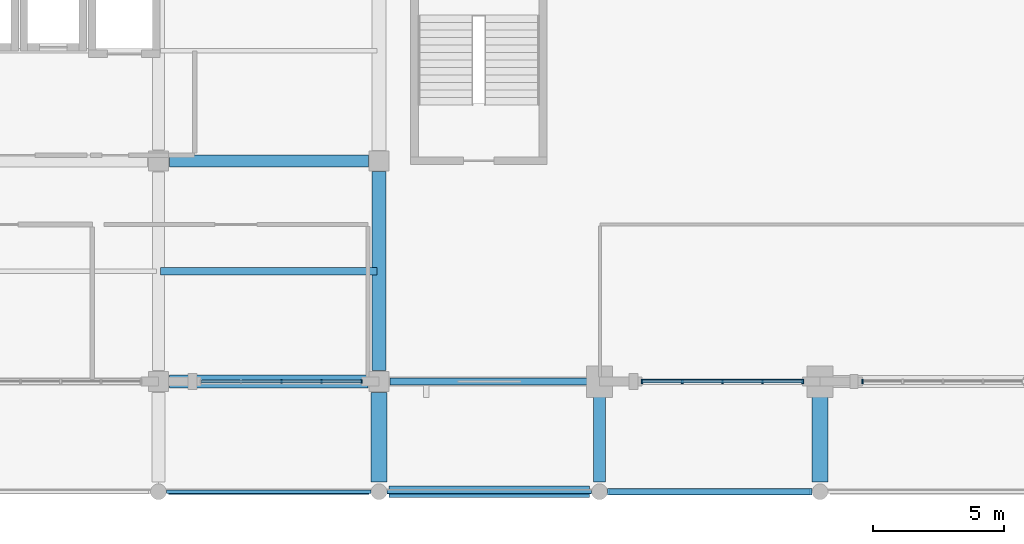
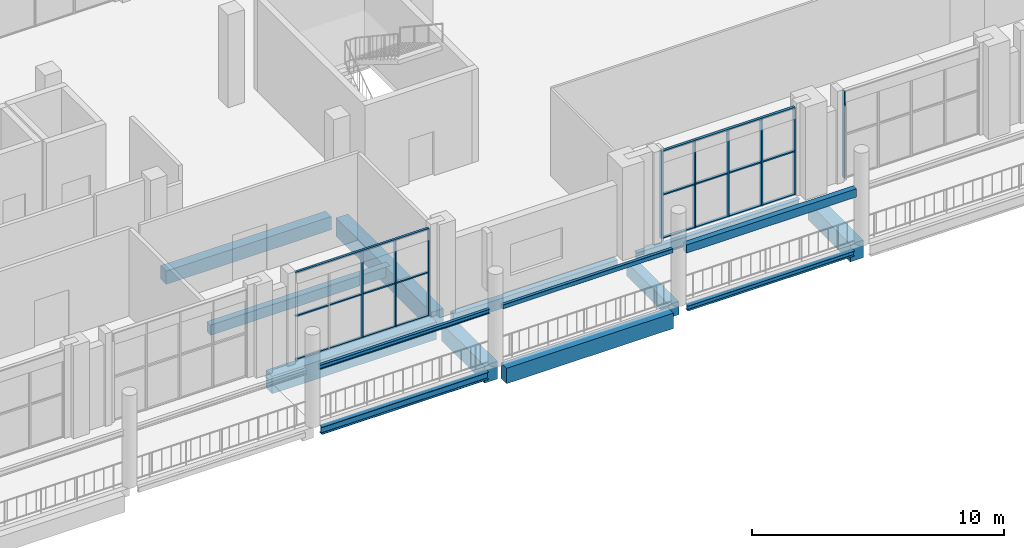
# One storey, part 25 of 75: 15 beams, 15 members, 3 elements without a shape of their own.
"""IFC4 building model written with IfcOpenShell, lengths in metres."""

import ifcopenshell
import ifcopenshell.guid

model = None  # the IFC model being written
_history = None  # IfcOwnerHistory: only IFC2X3 demands one
_inside = {}  # id of a spatial element -> (the spatial element, [elements in it])
_under = {}  # id of a project, library or spatial element -> (it, [spatial elements below it])
_declared = {}  # id of a project -> (the project, [libraries it declares])
_typed = {}  # id of a type object -> (the type object, [elements of that type])
_made_of = {}  # id of a material, layer set ... -> (it, [elements and type objects made of it])


def new_model(schema):
    """Start an empty IFC model of exactly this schema.

    Asked for "IFC4X3", IfcOpenShell would pick the latest addendum, in which some entities
    have other attributes; the version numbers below select the first issue.
    IFC2X3 requires an IfcOwnerHistory on every rooted entity: one is made here for all.
    """
    global model, _history
    if schema == "IFC4X3":
        model = ifcopenshell.file(schema_version=(4, 3, 0, 0))
    else:
        model = ifcopenshell.file(schema=schema)
    _inside.clear()
    _under.clear()
    _declared.clear()
    _typed.clear()
    _made_of.clear()
    _history = None
    if model.schema == "IFC2X3":
        org = make("IfcOrganization", Name="unknown")
        user = make(
            "IfcPersonAndOrganization",
            ThePerson=make("IfcPerson", FamilyName="unknown"),
            TheOrganization=org,
        )
        app = make(
            "IfcApplication",
            ApplicationDeveloper=org,
            Version="unknown",
            ApplicationFullName="unknown",
            ApplicationIdentifier="unknown",
        )
        _history = make(
            "IfcOwnerHistory",
            OwningUser=user,
            OwningApplication=app,
            ChangeAction="ADDED",
            CreationDate=0,
        )
    return model


def make(cls, **values):
    """One entity of the class cls with the attributes given. An attribute that is None is left unset."""
    return model.create_entity(
        cls, **{name: value for name, value in values.items() if value is not None}
    )


def rooted(cls, **values):
    """An entity with a GlobalId (a new one), such as an element, a storey or a relation."""
    return make(cls, GlobalId=ifcopenshell.guid.new(), OwnerHistory=_history, **values)


def si_unit(unit_type, name, prefix=None):
    """IfcSIUnit, for example si_unit("LENGTHUNIT", "METRE", prefix="MILLI")."""
    return make("IfcSIUnit", UnitType=unit_type, Prefix=prefix, Name=name)


def derived_unit(unit_type, elements):
    """IfcDerivedUnit: a product of units, each with its exponent."""
    return make(
        "IfcDerivedUnit",
        Elements=[
            make("IfcDerivedUnitElement", Unit=unit, Exponent=power)
            for unit, power in elements
        ],
        UnitType=unit_type,
    )


def assignment(units):
    """IfcUnitAssignment: the units of a project."""
    return None if units is None else make("IfcUnitAssignment", Units=units)


def point(xyz):
    """IfcCartesianPoint."""
    return None if xyz is None else make("IfcCartesianPoint", Coordinates=xyz)


def direction(xyz):
    """IfcDirection."""
    return None if xyz is None else make("IfcDirection", DirectionRatios=xyz)


def frame(location, z_axis=None, x_axis=None):
    """IfcAxis2Placement3D, a coordinate frame: its origin and axes. An axis left out is left unset."""
    return make(
        "IfcAxis2Placement3D",
        Location=point(location),
        Axis=direction(z_axis),
        RefDirection=direction(x_axis),
    )


def frame_2d(location, x_axis=None):
    """IfcAxis2Placement2D, a coordinate frame in the plane: its origin and x axis."""
    return make(
        "IfcAxis2Placement2D", Location=point(location), RefDirection=direction(x_axis)
    )


def origin():
    """The frame at (0, 0, 0) with its axes left unset."""
    return frame((0.0, 0.0, 0.0))


def origin_2d():
    """The frame at (0, 0) in the plane with its x axis left unset."""
    return frame_2d((0.0, 0.0))


def place(relative_to, where):
    """IfcLocalPlacement: puts the frame where relative to a parent placement (None: the world)."""
    return make(
        "IfcLocalPlacement", PlacementRelTo=relative_to, RelativePlacement=where
    )


def context(
    kind, dimensions, precision=None, world=None, true_north=None, identifier=None
):
    """IfcGeometricRepresentationContext, for example the 3D "Model" context."""
    return make(
        "IfcGeometricRepresentationContext",
        ContextIdentifier=identifier,
        ContextType=kind,
        CoordinateSpaceDimension=dimensions,
        Precision=precision,
        WorldCoordinateSystem=world,
        TrueNorth=true_north,
    )


def subcontext(parent, identifier, kind, view, scale=None):
    """IfcGeometricRepresentationSubContext, for example "Body" below "Model"."""
    return make(
        "IfcGeometricRepresentationSubContext",
        ContextIdentifier=identifier,
        ContextType=kind,
        ParentContext=parent,
        TargetScale=scale,
        TargetView=view,
    )


def project(units=None, contexts=None):
    """IfcProject with its units and contexts."""
    return rooted(
        "IfcProject",
        Name="project",
        RepresentationContexts=contexts,
        UnitsInContext=assignment(units),
    )


def spatial(cls, under=None, at=None, **own):
    """A site, building, storey or space (cls), placed at a placement, below another one or the project."""
    s = rooted(cls, ObjectPlacement=at, **own)
    if under is not None:
        _under.setdefault(under.id(), (under, []))[1].append(s)
    return s


def profile(cls, at=None, kind="AREA", **sizes):
    """A parametric profile (cls). Its sizes go by their IFC names, for example OverallWidth=200.0."""
    return make(cls, ProfileType=kind, Position=at, **sizes)


def rectangle(**sizes):
    """IfcRectangleProfileDef."""
    return profile("IfcRectangleProfileDef", **sizes)


def hollow_rectangle(**sizes):
    """IfcRectangleHollowProfileDef."""
    return profile("IfcRectangleHollowProfileDef", **sizes)


def i_section(**sizes):
    """IfcIShapeProfileDef."""
    return profile("IfcIShapeProfileDef", **sizes)


def extrude(swept, where, along, depth):
    """IfcExtrudedAreaSolid: the profile swept, set in the frame where, extruded along a direction by depth."""
    return make(
        "IfcExtrudedAreaSolid",
        SweptArea=swept,
        Position=where,
        ExtrudedDirection=direction(along),
        Depth=depth,
    )


def shape(context_of_items, identifier, shape_type, items):
    """IfcShapeRepresentation: the items that make up one representation, for example the "Body"."""
    return make(
        "IfcShapeRepresentation",
        ContextOfItems=context_of_items,
        RepresentationIdentifier=identifier,
        RepresentationType=shape_type,
        Items=items,
    )


def material(Name=None, Category=None):
    """IfcMaterial."""
    return make("IfcMaterial", Name=Name, Category=Category)


def material_profile(
    of_material, cross_section, Name=None, Category=None, Priority=None
):
    """IfcMaterialProfile: a cross section and its material."""
    return make(
        "IfcMaterialProfile",
        Name=Name,
        Material=of_material,
        Profile=cross_section,
        Priority=Priority,
        Category=Category,
    )


def profile_set(profiles, Name=None, composite=None):
    """IfcMaterialProfileSet."""
    return make(
        "IfcMaterialProfileSet",
        Name=Name,
        MaterialProfiles=profiles,
        CompositeProfile=composite,
    )


def made_of(thing, what):
    """Note that an element or type object is made of a material, layer set ...; save() writes the relation."""
    if what is not None:
        _made_of.setdefault(what.id(), (what, []))[1].append(thing)
    return thing


def type_object(cls, material=None, **own):
    """A type object (cls), such as IfcWallType, which elements share."""
    return made_of(rooted(cls, **own), material)


def element(
    cls,
    number,
    at=None,
    inside=None,
    cuts=None,
    type_object=None,
    material=None,
    context=None,
    identifier="Body",
    shape_type=None,
    held_by="IfcProductDefinitionShape",
    body=None,
    shapes=None,
    **own,
):
    """One element of the class cls, such as IfcWall. Its Tag is "e" and its number.

    at: its placement. inside: the storey or other place that contains it. cuts: it is an
    opening in that element (IfcRelVoidsElement). A single representation is given by context,
    identifier, shape_type and body (its items); several are given by shapes. held_by: the class
    of the entity that holds the representations. save() writes the other relations.
    """
    e = rooted(cls, Tag="e%d" % number, ObjectPlacement=at, **own)
    if body is not None:
        shapes = [shape(context, identifier, shape_type, body)]
    if shapes is not None:
        e.Representation = make(held_by, Representations=shapes)
    if inside is not None:
        _inside.setdefault(inside.id(), (inside, []))[1].append(e)
    if cuts is not None:
        rooted(
            "IfcRelVoidsElement", RelatingBuildingElement=cuts, RelatedOpeningElement=e
        )
    if type_object is not None:
        _typed.setdefault(type_object.id(), (type_object, []))[1].append(e)
    return made_of(e, material)


def aggregate(whole, parts):
    """IfcRelAggregates: a whole, such as a stair, and the parts it consists of."""
    return rooted("IfcRelAggregates", RelatingObject=whole, RelatedObjects=parts)


def save(model, path):
    """Write the relations noted so far, then the file.

    IfcRelAggregates (storeys below a building ...), IfcRelContainedInSpatialStructure (elements
    in a storey), IfcRelDefinesByType, IfcRelAssociatesMaterial and IfcRelDeclares: one each for
    every whole, place, type object, material and project.
    """
    for whole, parts in _under.values():
        aggregate(whole, parts)
    for where, things in _inside.values():
        rooted(
            "IfcRelContainedInSpatialStructure",
            RelatedElements=things,
            RelatingStructure=where,
        )
    for kind, things in _typed.values():
        rooted("IfcRelDefinesByType", RelatedObjects=things, RelatingType=kind)
    for what, things in _made_of.values():
        rooted("IfcRelAssociatesMaterial", RelatedObjects=things, RelatingMaterial=what)
    for by, libraries in _declared.values():
        rooted("IfcRelDeclares", RelatingContext=by, RelatedDefinitions=libraries)
    model.write(path)


model = new_model("IFC4")

# Units and contexts
model_context = context("Model", 3, precision=1e-05, world=origin(), true_north=direction((0.0, 1.0)))
body_context = subcontext(model_context, "Body", "Model", "MODEL_VIEW")
ifc_project = project(units=[si_unit("LENGTHUNIT", "METRE"), si_unit("AREAUNIT", "SQUARE_METRE"), si_unit("VOLUMEUNIT", "CUBIC_METRE"), si_unit("PLANEANGLEUNIT", "RADIAN"), si_unit("MASSUNIT", "GRAM", prefix="KILO"), derived_unit("THERMALTRANSMITTANCEUNIT", [(si_unit("POWERUNIT", "WATT"), 1), (si_unit("LENGTHUNIT", "METRE"), -2), (si_unit("THERMODYNAMICTEMPERATUREUNIT", "KELVIN"), -1)])], contexts=[model_context])

# Site, building, storey
site_placement = place(None, origin())
site = spatial("IfcSite", under=ifc_project, at=site_placement, CompositionType="ELEMENT")
building_placement = place(site_placement, origin())
building = spatial("IfcBuilding", under=site, at=building_placement, Name="Barrovel Congress Hotel", CompositionType="ELEMENT")
storey_placement = place(building_placement, frame((0.0, 0.0, 5.39990234375)))
storey = spatial("IfcBuildingStorey", under=building, at=storey_placement, Name="L01", CompositionType="ELEMENT", Elevation=5.39990234375)

# Beams
ifc_material_1 = material(Name="Concrete C40", Category="concrete")
ifc_material_profile_1 = material_profile(ifc_material_1, rectangle(XDim=0.25, YDim=0.39990234375, at=origin_2d()), Name="RC250x400")
ifc_profile_set_1 = profile_set([ifc_material_profile_1], Name="Concrete C40")
beam_type_1 = type_object("IfcBeamType", Name="BM-RC250x400", PredefinedType="LINTEL", material=ifc_profile_set_1)
beam_1_placement = place(storey_placement, frame((109.5, 0.0, 2.550048828125), z_axis=(1.0, 0.0, 0.0), x_axis=(0.0, 1.0, 0.0)))
element("IfcBeam", 1, at=beam_1_placement, inside=storey, type_object=beam_type_1, Name="LIN:L01:109.2-117.6", PredefinedType="LINTEL", context=body_context, shape_type="SweptSolid", body=[
    extrude(rectangle(XDim=0.25, YDim=0.39990234375, at=origin_2d()), origin(), (0.0, 0.0, 1.0), 7.800048828125),
])
ifc_material_profile_2 = material_profile(ifc_material_1, rectangle(XDim=0.25, YDim=0.5, at=origin_2d()), Name="RC250x500")
ifc_profile_set_2 = profile_set([ifc_material_profile_2], Name="Concrete C40")
beam_type_2 = type_object("IfcBeamType", Name="BM-RC250x500", PredefinedType="SPANDREL", material=ifc_profile_set_2)
beam_2_placement = place(storey_placement, frame((101.22509765625, 4.199951171875, -0.510009765625), z_axis=(1.0, 0.0, 0.0), x_axis=(0.0, 1.0, 0.0)))
element("IfcBeam", 2, at=beam_2_placement, inside=storey, type_object=beam_type_2, Name="BMX:L01:4.2:100.8-109.2", PredefinedType="SPANDREL", context=body_context, shape_type="SweptSolid", body=[
    extrude(rectangle(XDim=0.25, YDim=0.5, at=origin_2d()), origin(), (0.0, 0.0, 1.0), 7.52490234375),
])
ifc_material_profile_3 = material_profile(ifc_material_1, rectangle(XDim=0.300048828125, YDim=0.5, at=origin_2d()), Name="RC300x500")
ifc_profile_set_3 = profile_set([ifc_material_profile_3], Name="Concrete C40")
beam_type_3 = type_object("IfcBeamType", Name="BM-RC300x500", PredefinedType="JOIST", material=ifc_profile_set_3)
beam_3_placement = place(storey_placement, frame((92.47998046875, 8.39990234375, -0.510009765625), z_axis=(1.0, 0.0, 0.0), x_axis=(0.0, 1.0, 0.0)))
element("IfcBeam", 3, at=beam_3_placement, inside=storey, type_object=beam_type_3, Name="JST:L01:92.4:8.4", PredefinedType="JOIST", context=body_context, shape_type="SweptSolid", body=[
    extrude(rectangle(XDim=0.300048828125, YDim=0.5, at=origin_2d()), origin(), (0.0, 0.0, 1.0), 8.239990234375),
])
ifc_material_profile_4 = material_profile(ifc_material_1, rectangle(XDim=0.449951171875, YDim=0.64990234375, at=origin_2d()), Name="RC450x650")
ifc_profile_set_4 = profile_set([ifc_material_profile_4], Name="Concrete C40")
beam_type_4 = type_object("IfcBeamType", Name="BM-RC450x650", PredefinedType="BEAM", material=ifc_profile_set_4)
beam_4_placement = place(storey_placement, frame((92.824951171875, 12.60009765625, -0.5849609375), z_axis=(1.0, 0.0, 0.0), x_axis=(0.0, 1.0, 0.0)))
element("IfcBeam", 4, at=beam_4_placement, inside=storey, type_object=beam_type_4, Name="BMX:L01:12.6:92.4-100.8", PredefinedType="BEAM", context=body_context, shape_type="SweptSolid", body=[
    extrude(rectangle(XDim=0.449951171875, YDim=0.64990234375, at=origin_2d()), origin(), (0.0, 0.0, 1.0), 7.574951171875),
])
beam_5_placement = place(storey_placement, frame((109.199951171875, 0.375, -0.5849609375), z_axis=(0.0, 1.0, 0.0), x_axis=(-1.0, 0.0, 0.0)))
element("IfcBeam", 5, at=beam_5_placement, inside=storey, type_object=beam_type_4, Name="BMY:L01:109.2:0.0-4.2", PredefinedType="BEAM", context=body_context, shape_type="SweptSolid", body=[
    extrude(rectangle(XDim=0.449951171875, YDim=0.64990234375, at=origin_2d()), origin(), (0.0, 0.0, 1.0), 3.375),
])
ifc_material_profile_5 = material_profile(ifc_material_1, rectangle(XDim=0.449951171875, YDim=0.75, at=origin_2d()), Name="RC450x750")
ifc_profile_set_5 = profile_set([ifc_material_profile_5], Name="Concrete C40")
beam_type_5 = type_object("IfcBeamType", Name="BM-RC450x750", PredefinedType="BEAM", material=ifc_profile_set_5)
beam_6_placement = place(storey_placement, frame((101.175048828125, 0.0, -0.635009765625), z_axis=(1.0, 0.0, 0.0), x_axis=(0.0, 1.0, 0.0)))
element("IfcBeam", 6, at=beam_6_placement, inside=storey, type_object=beam_type_5, Name="BMX:L01:0.0:100.8-109.2", PredefinedType="BEAM", context=body_context, shape_type="SweptSolid", body=[
    extrude(rectangle(XDim=0.449951171875, YDim=0.75, at=origin_2d()), origin(), (0.0, 0.0, 1.0), 7.64990234375),
])
ifc_material_profile_6 = material_profile(ifc_material_1, rectangle(XDim=0.5, YDim=0.85009765625, at=origin_2d()), Name="RC500x850")
ifc_profile_set_6 = profile_set([ifc_material_profile_6], Name="Concrete C40")
beam_type_6 = type_object("IfcBeamType", Name="BM-RC500x850", PredefinedType="BEAM", material=ifc_profile_set_6)
beam_7_placement = place(storey_placement, frame((92.824951171875, 4.199951171875, -0.684814453125), z_axis=(1.0, 0.0, 0.0), x_axis=(0.0, 1.0, 0.0)))
element("IfcBeam", 7, at=beam_7_placement, inside=storey, type_object=beam_type_6, Name="BMX:L01:4.2:92.4-100.8", PredefinedType="BEAM", context=body_context, shape_type="SweptSolid", body=[
    extrude(rectangle(XDim=0.5, YDim=0.85009765625, at=origin_2d()), origin(), (0.0, 0.0, 1.0), 7.550048828125),
])
ifc_material_profile_7 = material_profile(ifc_material_1, rectangle(XDim=0.550048828125, YDim=0.89990234375, at=origin_2d()), Name="RC550x900")
ifc_profile_set_7 = profile_set([ifc_material_profile_7], Name="Concrete C40")
beam_type_7 = type_object("IfcBeamType", Name="BM-RC550x900", PredefinedType="BEAM", material=ifc_profile_set_7)
beam_8_placement = place(storey_placement, frame((100.800048828125, 4.625, -0.7099609375), z_axis=(0.0, 1.0, 0.0), x_axis=(-1.0, 0.0, 0.0)))
element("IfcBeam", 8, at=beam_8_placement, inside=storey, type_object=beam_type_7, Name="BMY:L01:100.8:4.2-12.6", PredefinedType="BEAM", context=body_context, shape_type="SweptSolid", body=[
    extrude(rectangle(XDim=0.550048828125, YDim=0.89990234375, at=origin_2d()), origin(), (0.0, 0.0, 1.0), 7.574951171875),
])
ifc_material_profile_8 = material_profile(ifc_material_1, rectangle(XDim=0.60009765625, YDim=0.85009765625, at=origin_2d()), Name="RC600x850")
ifc_profile_set_8 = profile_set([ifc_material_profile_8], Name="Concrete C40")
beam_type_8 = type_object("IfcBeamType", Name="BM-RC600x850", PredefinedType="BEAM", material=ifc_profile_set_8)
beam_9_placement = place(storey_placement, frame((100.800048828125, 0.375, -0.684814453125), z_axis=(0.0, 1.0, 0.0), x_axis=(-1.0, 0.0, 0.0)))
element("IfcBeam", 9, at=beam_9_placement, inside=storey, type_object=beam_type_8, Name="BMY:L01:100.8:0.0-4.2", PredefinedType="BEAM", context=body_context, shape_type="SweptSolid", body=[
    extrude(rectangle(XDim=0.60009765625, YDim=0.85009765625, at=origin_2d()), origin(), (0.0, 0.0, 1.0), 3.39990234375),
])
beam_10_placement = place(storey_placement, frame((117.60009765625, 0.375, -0.684814453125), z_axis=(0.0, 1.0, 0.0), x_axis=(-1.0, 0.0, 0.0)))
element("IfcBeam", 10, at=beam_10_placement, inside=storey, type_object=beam_type_8, Name="BMY:L01:117.6:0.0-4.2", PredefinedType="BEAM", context=body_context, shape_type="SweptSolid", body=[
    extrude(rectangle(XDim=0.60009765625, YDim=0.85009765625, at=origin_2d()), origin(), (0.0, 0.0, 1.0), 3.375),
])

# Curtain wall, members
ifc_material_2 = material(Name="Anodised Aluminium Alloy 6063-T6", Category="aluminium")
curtain_wall_type = type_object("IfcCurtainWallType", Name="CW-ST-7200x3900", PredefinedType="USERDEFINED", material=ifc_material_2)
curtain_wall_1_placement = place(storey_placement, origin())
curtain_wall_1 = element("IfcCurtainWall", 11, at=curtain_wall_1_placement, inside=storey, type_object=curtain_wall_type, Name="CW:L01:S:11", ObjectType="STICK CURTAIN WALL", PredefinedType="USERDEFINED")
ifc_material_profile_9 = material_profile(ifc_material_2, rectangle(XDim=0.06005859375, YDim=0.139892578125, at=origin_2d()), Name="AL-M60x140")
ifc_profile_set_9 = profile_set([ifc_material_profile_9], Name="Anodised Aluminium Alloy 6063-T6")
member_type_1 = type_object("IfcMemberType", Name="CWM-AL-M60x140", PredefinedType="MULLION", material=ifc_profile_set_9)
member_1_placement = place(storey_placement, frame((97.080078125, 4.199951171875, 0.0), z_axis=(0.0, 0.0, 1.0), x_axis=(1.0, 0.0, 0.0)))
member_1 = element("IfcMember", 12, at=member_1_placement, type_object=member_type_1, Name="CW:L01:S:11:M2", PredefinedType="MULLION", context=body_context, shape_type="SweptSolid", body=[
    extrude(rectangle(XDim=0.06005859375, YDim=0.139892578125, at=origin_2d()), origin(), (0.0, 0.0, 1.0), 4.22021484375),
])
member_2_placement = place(storey_placement, frame((98.610107421875, 4.199951171875, 0.0), z_axis=(0.0, 0.0, 1.0), x_axis=(1.0, 0.0, 0.0)))
member_2 = element("IfcMember", 13, at=member_2_placement, type_object=member_type_1, Name="CW:L01:S:11:M3", PredefinedType="MULLION", context=body_context, shape_type="SweptSolid", body=[
    extrude(rectangle(XDim=0.06005859375, YDim=0.139892578125, at=origin_2d()), origin(), (0.0, 0.0, 1.0), 4.22021484375),
])
member_3_placement = place(storey_placement, frame((100.139892578125, 4.199951171875, 0.0), z_axis=(0.0, 0.0, 1.0), x_axis=(1.0, 0.0, 0.0)))
member_3 = element("IfcMember", 14, at=member_3_placement, type_object=member_type_1, Name="CW:L01:S:11:M4", PredefinedType="MULLION", context=body_context, shape_type="SweptSolid", body=[
    extrude(rectangle(XDim=0.06005859375, YDim=0.139892578125, at=origin_2d()), origin(), (0.0, 0.0, 1.0), 4.22021484375),
])

curtain_wall_2_placement = place(storey_placement, origin())
curtain_wall_2 = element("IfcCurtainWall", 15, at=curtain_wall_2_placement, inside=storey, type_object=curtain_wall_type, Name="CW:L01:S:13", ObjectType="STICK CURTAIN WALL", PredefinedType="USERDEFINED")
ifc_material_profile_10 = material_profile(ifc_material_2, rectangle(XDim=0.06005859375, YDim=0.1650390625, at=origin_2d()), Name="AL-M60x165")
ifc_profile_set_10 = profile_set([ifc_material_profile_10], Name="Anodised Aluminium Alloy 6063-T6")
member_type_2 = type_object("IfcMemberType", Name="CWM-AL-M60x165", PredefinedType="MULLION", material=ifc_profile_set_10)
member_4_placement = place(storey_placement, frame((110.820068359375, 4.199951171875, 0.0), z_axis=(0.0, 0.0, 1.0), x_axis=(1.0, 0.0, 0.0)))
member_4 = element("IfcMember", 16, at=member_4_placement, type_object=member_type_2, Name="CW:L01:S:13:M0", PredefinedType="MULLION", context=body_context, shape_type="SweptSolid", body=[
    extrude(rectangle(XDim=0.06005859375, YDim=0.1650390625, at=origin_2d()), origin(), (0.0, 0.0, 1.0), 4.22021484375),
])
member_5_placement = place(storey_placement, frame((112.35009765625, 4.199951171875, 0.0), z_axis=(0.0, 0.0, 1.0), x_axis=(1.0, 0.0, 0.0)))
member_5 = element("IfcMember", 17, at=member_5_placement, type_object=member_type_2, Name="CW:L01:S:13:M1", PredefinedType="MULLION", context=body_context, shape_type="SweptSolid", body=[
    extrude(rectangle(XDim=0.06005859375, YDim=0.1650390625, at=origin_2d()), origin(), (0.0, 0.0, 1.0), 4.22021484375),
])
member_6_placement = place(storey_placement, frame((113.8798828125, 4.199951171875, 0.0), z_axis=(0.0, 0.0, 1.0), x_axis=(1.0, 0.0, 0.0)))
member_6 = element("IfcMember", 18, at=member_6_placement, type_object=member_type_2, Name="CW:L01:S:13:M2", PredefinedType="MULLION", context=body_context, shape_type="SweptSolid", body=[
    extrude(rectangle(XDim=0.06005859375, YDim=0.1650390625, at=origin_2d()), origin(), (0.0, 0.0, 1.0), 4.22021484375),
])
member_7_placement = place(storey_placement, frame((115.409912109375, 4.199951171875, 0.0), z_axis=(0.0, 0.0, 1.0), x_axis=(1.0, 0.0, 0.0)))
member_7 = element("IfcMember", 19, at=member_7_placement, type_object=member_type_2, Name="CW:L01:S:13:M3", PredefinedType="MULLION", context=body_context, shape_type="SweptSolid", body=[
    extrude(rectangle(XDim=0.06005859375, YDim=0.1650390625, at=origin_2d()), origin(), (0.0, 0.0, 1.0), 4.22021484375),
])
member_8_placement = place(storey_placement, frame((116.93994140625, 4.199951171875, 0.0), z_axis=(0.0, 0.0, 1.0), x_axis=(1.0, 0.0, 0.0)))
member_8 = element("IfcMember", 20, at=member_8_placement, type_object=member_type_2, Name="CW:L01:S:13:M4", PredefinedType="MULLION", context=body_context, shape_type="SweptSolid", body=[
    extrude(rectangle(XDim=0.06005859375, YDim=0.1650390625, at=origin_2d()), origin(), (0.0, 0.0, 1.0), 4.22021484375),
])

# Curtain wall, member
curtain_wall_3_placement = place(storey_placement, origin())
curtain_wall_3 = element("IfcCurtainWall", 21, at=curtain_wall_3_placement, inside=storey, type_object=curtain_wall_type, Name="CW:L01:S:14", ObjectType="STICK CURTAIN WALL", PredefinedType="USERDEFINED")
ifc_material_profile_11 = material_profile(ifc_material_2, rectangle(XDim=0.06494140625, YDim=0.18994140625, at=origin_2d()), Name="AL-M65x190")
ifc_profile_set_11 = profile_set([ifc_material_profile_11], Name="Anodised Aluminium Alloy 6063-T6")
member_type_3 = type_object("IfcMemberType", Name="CWM-AL-M65x190", PredefinedType="MULLION", material=ifc_profile_set_11)
member_9_placement = place(storey_placement, frame((119.219970703125, 4.199951171875, 0.0), z_axis=(0.0, 0.0, 1.0), x_axis=(1.0, 0.0, 0.0)))
member_9 = element("IfcMember", 22, at=member_9_placement, type_object=member_type_3, Name="CW:L01:S:14:M0", PredefinedType="MULLION", context=body_context, shape_type="SweptSolid", body=[
    extrude(rectangle(XDim=0.06494140625, YDim=0.18994140625, at=origin_2d()), origin(), (0.0, 0.0, 1.0), 4.22021484375),
])
aggregate(curtain_wall_3, [member_9])

# Member
ifc_material_profile_12 = material_profile(ifc_material_2, rectangle(XDim=0.10498046875, YDim=0.06005859375, at=origin_2d()), Name="AL-T60x105")
ifc_profile_set_12 = profile_set([ifc_material_profile_12], Name="Anodised Aluminium Alloy 6063-T6")
member_type_4 = type_object("IfcMemberType", Name="CWT-AL-T60x105", PredefinedType="USERDEFINED", material=ifc_profile_set_12)
member_10_placement = place(storey_placement, frame((94.02001953125, 4.199951171875, 0.0), z_axis=(1.0, 0.0, 0.0), x_axis=(0.0, 1.0, 0.0)))
member_10 = element("IfcMember", 23, at=member_10_placement, type_object=member_type_4, Name="CW:L01:S:11:T0", ObjectType="TRANSOM", PredefinedType="USERDEFINED", context=body_context, shape_type="SweptSolid", body=[
    extrude(rectangle(XDim=0.10498046875, YDim=0.06005859375, at=origin_2d()), origin(), (0.0, 0.0, 1.0), 6.119873046875),
])

member_11_placement = place(storey_placement, frame((94.02001953125, 4.199951171875, 2.110107421875), z_axis=(1.0, 0.0, 0.0), x_axis=(0.0, 1.0, 0.0)))
member_11 = element("IfcMember", 24, at=member_11_placement, type_object=member_type_4, Name="CW:L01:S:11:T1", ObjectType="TRANSOM", PredefinedType="USERDEFINED", context=body_context, shape_type="SweptSolid", body=[
    extrude(rectangle(XDim=0.10498046875, YDim=0.06005859375, at=origin_2d()), origin(), (0.0, 0.0, 1.0), 6.119873046875),
])

member_12_placement = place(storey_placement, frame((94.02001953125, 4.199951171875, 4.22021484375), z_axis=(1.0, 0.0, 0.0), x_axis=(0.0, 1.0, 0.0)))
member_12 = element("IfcMember", 25, at=member_12_placement, type_object=member_type_4, Name="CW:L01:S:11:T2", ObjectType="TRANSOM", PredefinedType="USERDEFINED", context=body_context, shape_type="SweptSolid", body=[
    extrude(rectangle(XDim=0.10498046875, YDim=0.06005859375, at=origin_2d()), origin(), (0.0, 0.0, 1.0), 6.119873046875),
])

aggregate(curtain_wall_1, [member_1, member_2, member_3, member_10, member_11, member_12])

ifc_material_profile_13 = material_profile(ifc_material_2, rectangle(XDim=0.125, YDim=0.06005859375, at=origin_2d()), Name="AL-T60x125")
ifc_profile_set_13 = profile_set([ifc_material_profile_13], Name="Anodised Aluminium Alloy 6063-T6")
member_type_5 = type_object("IfcMemberType", Name="CWT-AL-T60x125", PredefinedType="USERDEFINED", material=ifc_profile_set_13)
member_13_placement = place(storey_placement, frame((110.820068359375, 4.199951171875, 0.0), z_axis=(1.0, 0.0, 0.0), x_axis=(0.0, 1.0, 0.0)))
member_13 = element("IfcMember", 26, at=member_13_placement, type_object=member_type_5, Name="CW:L01:S:13:T0", ObjectType="TRANSOM", PredefinedType="USERDEFINED", context=body_context, shape_type="SweptSolid", body=[
    extrude(rectangle(XDim=0.125, YDim=0.06005859375, at=origin_2d()), origin(), (0.0, 0.0, 1.0), 6.119873046875),
])

member_14_placement = place(storey_placement, frame((110.820068359375, 4.199951171875, 2.110107421875), z_axis=(1.0, 0.0, 0.0), x_axis=(0.0, 1.0, 0.0)))
member_14 = element("IfcMember", 27, at=member_14_placement, type_object=member_type_5, Name="CW:L01:S:13:T1", ObjectType="TRANSOM", PredefinedType="USERDEFINED", context=body_context, shape_type="SweptSolid", body=[
    extrude(rectangle(XDim=0.125, YDim=0.06005859375, at=origin_2d()), origin(), (0.0, 0.0, 1.0), 6.119873046875),
])

member_15_placement = place(storey_placement, frame((110.820068359375, 4.199951171875, 4.22021484375), z_axis=(1.0, 0.0, 0.0), x_axis=(0.0, 1.0, 0.0)))
member_15 = element("IfcMember", 28, at=member_15_placement, type_object=member_type_5, Name="CW:L01:S:13:T2", ObjectType="TRANSOM", PredefinedType="USERDEFINED", context=body_context, shape_type="SweptSolid", body=[
    extrude(rectangle(XDim=0.125, YDim=0.06005859375, at=origin_2d()), origin(), (0.0, 0.0, 1.0), 6.119873046875),
])

aggregate(curtain_wall_2, [member_4, member_5, member_6, member_7, member_8, member_13, member_14, member_15])

# Beams
ifc_material_3 = material(Name="Steel ASTM A500 Grade C", Category="steel")
ifc_material_profile_14 = material_profile(ifc_material_3, hollow_rectangle(XDim=0.15234375, YDim=0.203125, WallThickness=0.0087890625, InnerFilletRadius=0.0087890625, OuterFilletRadius=0.017578125, at=origin_2d()), Name="HSS203x152x9.5")
ifc_profile_set_14 = profile_set([ifc_material_profile_14], Name="Steel ASTM A500 Grade C")
beam_type_9 = type_object("IfcBeamType", Name="SBM-HSS203x152x9.5", PredefinedType="LINTEL", material=ifc_profile_set_14)
beam_11_placement = place(storey_placement, frame((101.10009765625, 0.0, 2.6484375), z_axis=(1.0, 0.0, 0.0), x_axis=(0.0, 1.0, 0.0)))
element("IfcBeam", 29, at=beam_11_placement, inside=storey, type_object=beam_type_9, Name="LIN:L01:100.8-109.2", PredefinedType="LINTEL", context=body_context, shape_type="SweptSolid", body=[
    extrude(hollow_rectangle(XDim=0.15234375, YDim=0.203125, WallThickness=0.0087890625, InnerFilletRadius=0.0087890625, OuterFilletRadius=0.017578125, at=origin_2d()), origin(), (0.0, 0.0, 1.0), 7.7998046875),
])
ifc_material_4 = material(Name="Steel ASTM A992 Grade 50", Category="steel")
ifc_material_profile_15 = material_profile(ifc_material_4, i_section(OverallWidth=0.133056640625, OverallDepth=0.20703125, WebThickness=0.005859375, FlangeThickness=0.00830078125, FilletRadius=0.010009765625, at=origin_2d()), Name="W200x27")
ifc_profile_set_15 = profile_set([ifc_material_profile_15], Name="Steel ASTM A992 Grade 50")
beam_type_10 = type_object("IfcBeamType", Name="SBM-W200x27", PredefinedType="LINTEL", material=ifc_profile_set_15)
beam_12_placement = place(storey_placement, frame((92.699951171875, 0.0, 2.646484375), z_axis=(1.0, 0.0, 0.0), x_axis=(0.0, 1.0, 0.0)))
element("IfcBeam", 30, at=beam_12_placement, inside=storey, type_object=beam_type_10, Name="LIN:L01:92.4-100.8", PredefinedType="LINTEL", context=body_context, shape_type="SweptSolid", body=[
    extrude(i_section(OverallWidth=0.133056640625, OverallDepth=0.20703125, WebThickness=0.005859375, FlangeThickness=0.00830078125, FilletRadius=0.010009765625, at=origin_2d()), origin(), (0.0, 0.0, 1.0), 7.800048828125),
])
ifc_material_profile_16 = material_profile(ifc_material_4, i_section(OverallWidth=0.201904296875, OverallDepth=0.2470703125, WebThickness=0.00732421875, FlangeThickness=0.010986328125, FilletRadius=0.011962890625, at=origin_2d()), Name="W250x49")
ifc_profile_set_16 = profile_set([ifc_material_profile_16], Name="Steel ASTM A992 Grade 50")
beam_type_11 = type_object("IfcBeamType", Name="SBM-W250x49", PredefinedType="SPANDREL", material=ifc_profile_set_16)
beam_13_placement = place(storey_placement, frame((109.574951171875, 0.0, -0.38330078125), z_axis=(1.0, 0.0, 0.0), x_axis=(0.0, 1.0, 0.0)))
element("IfcBeam", 31, at=beam_13_placement, inside=storey, type_object=beam_type_11, Name="BMX:L01:0.0:109.2-117.6", PredefinedType="SPANDREL", context=body_context, shape_type="SweptSolid", body=[
    extrude(i_section(OverallWidth=0.201904296875, OverallDepth=0.2470703125, WebThickness=0.00732421875, FlangeThickness=0.010986328125, FilletRadius=0.011962890625, at=origin_2d()), origin(), (0.0, 0.0, 1.0), 7.650146484375),
])
ifc_material_profile_17 = material_profile(ifc_material_4, i_section(OverallWidth=0.205078125, OverallDepth=0.35400390625, WebThickness=0.009521484375, FlangeThickness=0.016845703125, FilletRadius=0.012939453125, at=origin_2d()), Name="W360x79")
ifc_profile_set_17 = profile_set([ifc_material_profile_17], Name="Steel ASTM A992 Grade 50")
beam_type_12 = type_object("IfcBeamType", Name="SBM-W360x79", PredefinedType="BEAM", material=ifc_profile_set_17)
beam_14_placement = place(storey_placement, frame((92.77490234375, 0.0, -0.43701171875), z_axis=(1.0, 0.0, 0.0), x_axis=(0.0, 1.0, 0.0)))
element("IfcBeam", 32, at=beam_14_placement, inside=storey, type_object=beam_type_12, Name="BMX:L01:0.0:92.4-100.8", PredefinedType="BEAM", context=body_context, shape_type="SweptSolid", body=[
    extrude(i_section(OverallWidth=0.205078125, OverallDepth=0.35400390625, WebThickness=0.009521484375, FlangeThickness=0.016845703125, FilletRadius=0.012939453125, at=origin_2d()), origin(), (0.0, 0.0, 1.0), 7.650146484375),
])
ifc_material_profile_18 = material_profile(ifc_material_4, i_section(OverallWidth=0.19091796875, OverallDepth=0.4599609375, WebThickness=0.010009765625, FlangeThickness=0.01611328125, FilletRadius=0.012939453125, at=origin_2d()), Name="W460x82")
ifc_profile_set_18 = profile_set([ifc_material_profile_18], Name="Steel ASTM A992 Grade 50")
beam_type_13 = type_object("IfcBeamType", Name="SBM-W460x82", PredefinedType="BEAM", material=ifc_profile_set_18)
beam_15_placement = place(storey_placement, frame((109.64990234375, 4.199951171875, -0.489990234375), z_axis=(1.0, 0.0, 0.0), x_axis=(0.0, 1.0, 0.0)))
element("IfcBeam", 33, at=beam_15_placement, inside=storey, type_object=beam_type_13, Name="BMX:L01:4.2:109.2-117.6", PredefinedType="BEAM", context=body_context, shape_type="SweptSolid", body=[
    extrude(i_section(OverallWidth=0.19091796875, OverallDepth=0.4599609375, WebThickness=0.010009765625, FlangeThickness=0.01611328125, FilletRadius=0.012939453125, at=origin_2d()), origin(), (0.0, 0.0, 1.0), 7.5),
])

save(model, "model.ifc")
